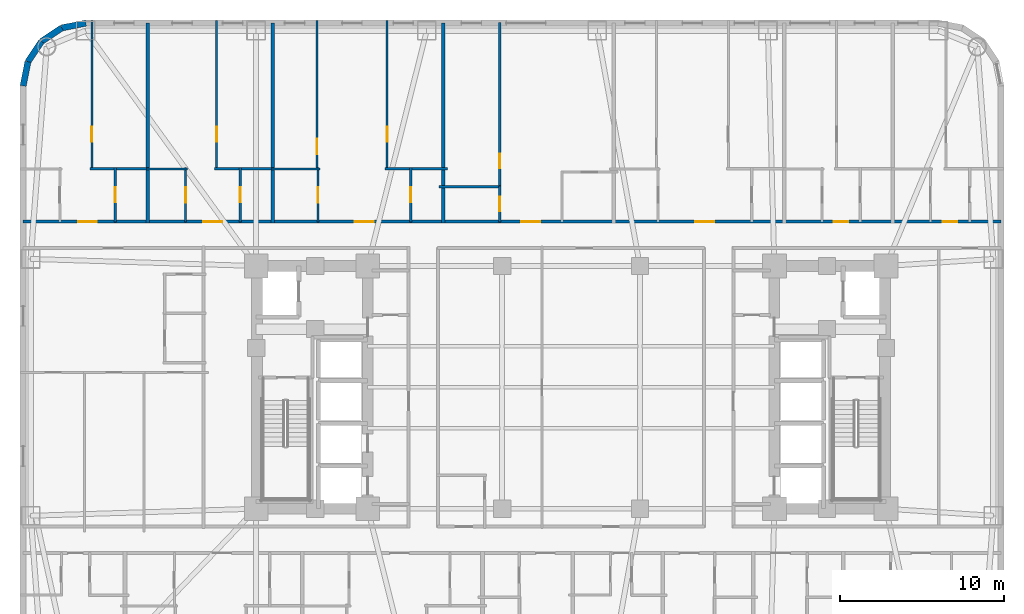
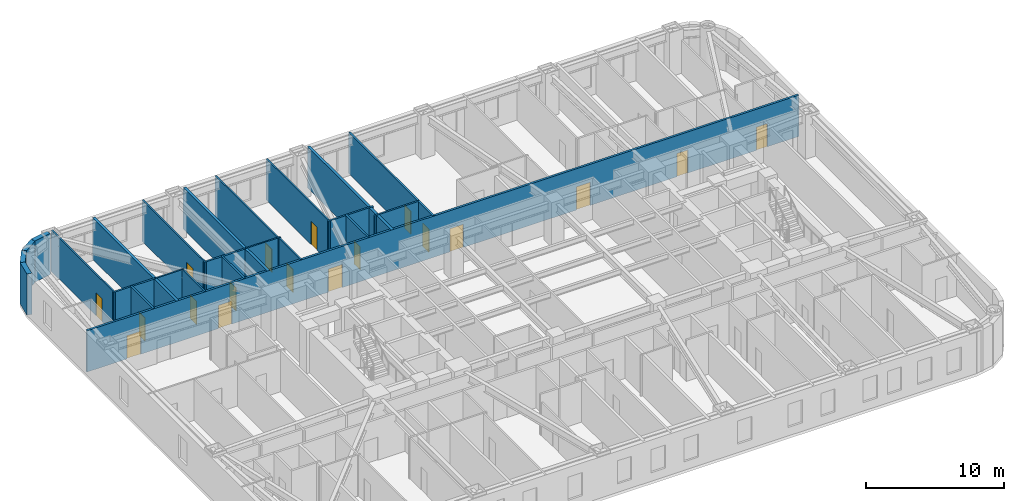
# One storey, part 7 of 11: 25 walls, 18 doors, 18 openings.
"""IFC4 building model written with IfcOpenShell, lengths in metres."""

from ifc_helpers import new_model, si_unit, direction, frame, frame_2d, origin, place, context, subcontext, project, spatial, rectangle, extrude, material, layer, layer_set, type_object, element, fill, save


model = new_model("IFC4")

# Units and contexts
model_context = context("Model", 3, precision=1e-05, world=origin(), true_north=direction((0.0, 1.0)))
body_context = subcontext(model_context, "Body", "Model", "MODEL_VIEW")
ifc_project = project(units=[si_unit("LENGTHUNIT", "METRE"), si_unit("AREAUNIT", "SQUARE_METRE"), si_unit("VOLUMEUNIT", "CUBIC_METRE"), si_unit("PLANEANGLEUNIT", "RADIAN"), si_unit("MASSUNIT", "GRAM", prefix="KILO")], contexts=[model_context])

# Site, building, storey
site_placement = place(None, origin())
site = spatial("IfcSite", under=ifc_project, at=site_placement, CompositionType="ELEMENT")
building_placement = place(site_placement, origin())
building = spatial("IfcBuilding", under=site, at=building_placement, Name="Voryun Gate Residences", CompositionType="ELEMENT")
storey_placement = place(building_placement, frame((0.0, 0.0, 45.5)))
storey = spatial("IfcBuildingStorey", under=building, at=storey_placement, Name="L10", CompositionType="ELEMENT", Elevation=45.5)

# Wall, openings, doors
ifc_material_1 = material(Name="Gypsum acoustic fireboard")
ifc_layer_1 = layer(ifc_material_1, 0.179931640625, Name="W_CORR_RATED_180")
ifc_layer_set_1 = layer_set([ifc_layer_1], Name="Gypsum acoustic fireboard")
wall_type_1 = type_object("IfcWallType", Name="W_CORR_RATED_180", PredefinedType="PARTITIONING", material=ifc_layer_set_1)
wall_1_placement = place(storey_placement, frame((-33.409912109375, 10.10009765625, 0.0), z_axis=(0.0, 0.0, 1.0), x_axis=(1.0, 0.0, 0.0)))
wall_1 = element("IfcWall", 1, at=wall_1_placement, inside=storey, type_object=wall_type_1, Name="Partition wall WP-L10-NCORR", PredefinedType="PARTITIONING", context=body_context, shape_type="SweptSolid", body=[
    extrude(rectangle(XDim=59.619873046875, YDim=0.179931640625, at=frame_2d((29.81005859375, 0.0))), origin(), (0.0, 0.0, 1.0), 3.64990234375),
])
opening_1_placement = place(wall_1_placement, frame((3.35400390625, 0.0, 0.0)))
opening_1 = element("IfcOpeningElement", 2, at=opening_1_placement, cuts=wall_1, Name="Opening D-UNIT-1", PredefinedType="OPENING", context=body_context, shape_type="SweptSolid", body=[
    extrude(rectangle(XDim=1.14990234375, YDim=2.050048828125, at=frame_2d((0.574951171875, 1.02490234375))), frame((0.0, 0.099853515625, 0.0), z_axis=(0.0, -1.0, 0.0), x_axis=(1.0, 0.0, 0.0)), (0.0, 0.0, 1.0), 0.199951171875),
])
opening_2_placement = place(wall_1_placement, frame((10.997314453125, 0.0, 0.0)))
opening_2 = element("IfcOpeningElement", 3, at=opening_2_placement, cuts=wall_1, Name="Opening D-UNIT-1", PredefinedType="OPENING", context=body_context, shape_type="SweptSolid", body=[
    extrude(rectangle(XDim=1.14990234375, YDim=2.050048828125, at=frame_2d((0.574951171875, 1.02490234375))), frame((0.0, 0.099853515625, 0.0), z_axis=(0.0, -1.0, 0.0), x_axis=(1.0, 0.0, 0.0)), (0.0, 0.0, 1.0), 0.199951171875),
])
opening_3_placement = place(wall_1_placement, frame((20.232421875, 0.0, 0.0)))
opening_3 = element("IfcOpeningElement", 4, at=opening_3_placement, cuts=wall_1, Name="Opening D-UNIT-1", PredefinedType="OPENING", context=body_context, shape_type="SweptSolid", body=[
    extrude(rectangle(XDim=1.14990234375, YDim=2.050048828125, at=frame_2d((0.574951171875, 1.02490234375))), frame((0.0, 0.099853515625, 0.0), z_axis=(0.0, -1.0, 0.0), x_axis=(1.0, 0.0, 0.0)), (0.0, 0.0, 1.0), 0.199951171875),
])
opening_4_placement = place(wall_1_placement, frame((30.379638671875, 0.0, 0.0)))
opening_4 = element("IfcOpeningElement", 5, at=opening_4_placement, cuts=wall_1, Name="Opening D-UNIT-1", PredefinedType="OPENING", context=body_context, shape_type="SweptSolid", body=[
    extrude(rectangle(XDim=1.14990234375, YDim=2.050048828125, at=frame_2d((0.574951171875, 1.02490234375))), frame((0.0, 0.099853515625, 0.0), z_axis=(0.0, -1.0, 0.0), x_axis=(1.0, 0.0, 0.0)), (0.0, 0.0, 1.0), 0.199951171875),
])
opening_5_placement = place(wall_1_placement, frame((40.998046875, 0.0, 0.0)))
opening_5 = element("IfcOpeningElement", 6, at=opening_5_placement, cuts=wall_1, Name="Opening D-UNIT-1", PredefinedType="OPENING", context=body_context, shape_type="SweptSolid", body=[
    extrude(rectangle(XDim=1.14990234375, YDim=2.050048828125, at=frame_2d((0.574951171875, 1.02490234375))), frame((0.0, 0.099853515625, 0.0), z_axis=(0.0, -1.0, 0.0), x_axis=(1.0, 0.0, 0.0)), (0.0, 0.0, 1.0), 0.199951171875),
])
opening_6_placement = place(wall_1_placement, frame((49.427978515625, 0.0, 0.0)))
opening_6 = element("IfcOpeningElement", 7, at=opening_6_placement, cuts=wall_1, Name="Opening D-INT-2", PredefinedType="OPENING", context=body_context, shape_type="SweptSolid", body=[
    extrude(rectangle(XDim=0.89990234375, YDim=2.050048828125, at=frame_2d((0.449951171875, 1.02490234375))), frame((0.0, 0.099853515625, 0.0), z_axis=(0.0, -1.0, 0.0), x_axis=(1.0, 0.0, 0.0)), (0.0, 0.0, 1.0), 0.199951171875),
])
opening_7_placement = place(wall_1_placement, frame((56.06982421875, 0.0, 0.0)))
opening_7 = element("IfcOpeningElement", 8, at=opening_7_placement, cuts=wall_1, Name="Opening D-INT-2", PredefinedType="OPENING", context=body_context, shape_type="SweptSolid", body=[
    extrude(rectangle(XDim=0.89990234375, YDim=2.050048828125, at=frame_2d((0.449951171875, 1.02490234375))), frame((0.0, 0.099853515625, 0.0), z_axis=(0.0, -1.0, 0.0), x_axis=(1.0, 0.0, 0.0)), (0.0, 0.0, 1.0), 0.199951171875),
])
ifc_material_2 = material(Name="Architectural oak veneer")
door_type_1 = type_object("IfcDoorType", Name="DR_INT_BATH_900", OperationType="NOTDEFINED", PredefinedType="DOOR", material=ifc_material_2)
door_1_placement = place(opening_6_placement, origin())
door_1 = element("IfcDoor", 9, at=door_1_placement, inside=storey, type_object=door_type_1, Name="Door DR-L10-NENT-6", OperationType="SINGLE_SWING_RIGHT", OverallHeight=2.050048828125, OverallWidth=0.89990234375, PredefinedType="DOOR", context=body_context, shape_type="SweptSolid", body=[
    extrude(rectangle(XDim=0.89990234375, YDim=2.050048828125, at=frame_2d((0.449951171875, 1.02490234375))), frame((0.0, 0.02490234375, 0.0), z_axis=(0.0, -1.0, 0.0), x_axis=(1.0, 0.0, 0.0)), (0.0, 0.0, 1.0), 0.050048828125),
])
fill(opening_6, door_1)
door_2_placement = place(opening_7_placement, origin())
door_2 = element("IfcDoor", 10, at=door_2_placement, inside=storey, type_object=door_type_1, Name="Door DR-L10-NENT-7", OperationType="SINGLE_SWING_LEFT", OverallHeight=2.050048828125, OverallWidth=0.89990234375, PredefinedType="DOOR", context=body_context, shape_type="SweptSolid", body=[
    extrude(rectangle(XDim=0.89990234375, YDim=2.050048828125, at=frame_2d((0.449951171875, 1.02490234375))), frame((0.0, 0.02490234375, 0.0), z_axis=(0.0, -1.0, 0.0), x_axis=(1.0, 0.0, 0.0)), (0.0, 0.0, 1.0), 0.050048828125),
])
fill(opening_7, door_2)
ifc_material_3 = material(Name="Armoured timber-clad fire door", Category="wood")
door_type_2 = type_object("IfcDoorType", Name="DR_UNIT_ENTRY_1150", OperationType="NOTDEFINED", PredefinedType="DOOR", material=ifc_material_3)
door_3_placement = place(opening_1_placement, origin())
door_3 = element("IfcDoor", 11, at=door_3_placement, inside=storey, type_object=door_type_2, Name="Door DR-L10-NENT-1", OperationType="SINGLE_SWING_LEFT", OverallHeight=2.050048828125, OverallWidth=1.14990234375, PredefinedType="DOOR", context=body_context, shape_type="SweptSolid", body=[
    extrude(rectangle(XDim=1.14990234375, YDim=2.050048828125, at=frame_2d((0.574951171875, 1.02490234375))), frame((0.0, 0.02490234375, 0.0), z_axis=(0.0, -1.0, 0.0), x_axis=(1.0, 0.0, 0.0)), (0.0, 0.0, 1.0), 0.050048828125),
])
fill(opening_1, door_3)
door_4_placement = place(opening_2_placement, origin())
door_4 = element("IfcDoor", 12, at=door_4_placement, inside=storey, type_object=door_type_2, Name="Door DR-L10-NENT-2", OperationType="SINGLE_SWING_RIGHT", OverallHeight=2.050048828125, OverallWidth=1.14990234375, PredefinedType="DOOR", context=body_context, shape_type="SweptSolid", body=[
    extrude(rectangle(XDim=1.14990234375, YDim=2.050048828125, at=frame_2d((0.574951171875, 1.02490234375))), frame((0.0, 0.02490234375, 0.0), z_axis=(0.0, -1.0, 0.0), x_axis=(1.0, 0.0, 0.0)), (0.0, 0.0, 1.0), 0.050048828125),
])
fill(opening_2, door_4)
door_5_placement = place(opening_3_placement, origin())
door_5 = element("IfcDoor", 13, at=door_5_placement, inside=storey, type_object=door_type_2, Name="Door DR-L10-NENT-3", OperationType="SINGLE_SWING_LEFT", OverallHeight=2.050048828125, OverallWidth=1.14990234375, PredefinedType="DOOR", context=body_context, shape_type="SweptSolid", body=[
    extrude(rectangle(XDim=1.14990234375, YDim=2.050048828125, at=frame_2d((0.574951171875, 1.02490234375))), frame((0.0, 0.02490234375, 0.0), z_axis=(0.0, -1.0, 0.0), x_axis=(1.0, 0.0, 0.0)), (0.0, 0.0, 1.0), 0.050048828125),
])
fill(opening_3, door_5)
door_6_placement = place(opening_4_placement, origin())
door_6 = element("IfcDoor", 14, at=door_6_placement, inside=storey, type_object=door_type_2, Name="Door DR-L10-NENT-4", OperationType="SINGLE_SWING_RIGHT", OverallHeight=2.050048828125, OverallWidth=1.14990234375, PredefinedType="DOOR", context=body_context, shape_type="SweptSolid", body=[
    extrude(rectangle(XDim=1.14990234375, YDim=2.050048828125, at=frame_2d((0.574951171875, 1.02490234375))), frame((0.0, 0.02490234375, 0.0), z_axis=(0.0, -1.0, 0.0), x_axis=(1.0, 0.0, 0.0)), (0.0, 0.0, 1.0), 0.050048828125),
])
fill(opening_4, door_6)
door_7_placement = place(opening_5_placement, origin())
door_7 = element("IfcDoor", 15, at=door_7_placement, inside=storey, type_object=door_type_2, Name="Door DR-L10-NENT-5", OperationType="SINGLE_SWING_LEFT", OverallHeight=2.050048828125, OverallWidth=1.14990234375, PredefinedType="DOOR", context=body_context, shape_type="SweptSolid", body=[
    extrude(rectangle(XDim=1.14990234375, YDim=2.050048828125, at=frame_2d((0.574951171875, 1.02490234375))), frame((0.0, 0.02490234375, 0.0), z_axis=(0.0, -1.0, 0.0), x_axis=(1.0, 0.0, 0.0)), (0.0, 0.0, 1.0), 0.050048828125),
])
fill(opening_5, door_7)

# Walls
ifc_material_4 = material(Name="Granite masonry", Category="masonry")
ifc_layer_2 = layer(ifc_material_4, 0.3798828125, Name="W_EXT_GRANITE_380")
ifc_layer_set_2 = layer_set([ifc_layer_2], Name="Granite masonry")
wall_type_2 = type_object("IfcWallType", Name="W_EXT_GRANITE_380", PredefinedType="ELEMENTEDWALL", material=ifc_layer_set_2)
wall_2_placement = place(storey_placement, frame((-33.409912109375, 18.38134765625, 0.0), z_axis=(0.0, 0.0, 1.0), x_axis=(0.195086038585, 0.980786132421, 0.0)))
element("IfcWall", 16, at=wall_2_placement, inside=storey, type_object=wall_type_2, Name="Exterior wall WEXT-L10-07", PredefinedType="ELEMENTEDWALL", context=body_context, shape_type="SweptSolid", body=[
    extrude(rectangle(XDim=1.504150390625, YDim=0.3798828125, at=frame_2d((0.751953125, 0.0))), origin(), (0.0, 0.0, 1.0), 3.64990234375),
])
wall_3_placement = place(storey_placement, frame((-33.116455078125, 19.856689453125, 0.0), z_axis=(0.0, 0.0, 1.0), x_axis=(0.555572577804, 0.831468045563, 0.0)))
element("IfcWall", 17, at=wall_3_placement, inside=storey, type_object=wall_type_2, Name="Exterior wall WEXT-L10-08", PredefinedType="ELEMENTEDWALL", context=body_context, shape_type="SweptSolid", body=[
    extrude(rectangle(XDim=1.48486328125, YDim=0.3798828125, at=frame_2d((0.742431640625, 0.0))), origin(), (0.0, 0.0, 1.0), 3.64990234375),
])
wall_4_placement = place(storey_placement, frame((-32.29150390625, 21.09130859375, 0.0), z_axis=(0.0, 0.0, 1.0), x_axis=(0.831442848281, 0.555610286119, 0.0)))
element("IfcWall", 18, at=wall_4_placement, inside=storey, type_object=wall_type_2, Name="Exterior wall WEXT-L10-09", PredefinedType="ELEMENTEDWALL", context=body_context, shape_type="SweptSolid", body=[
    extrude(rectangle(XDim=1.485107421875, YDim=0.3798828125, at=frame_2d((0.74267578125, 0.0))), origin(), (0.0, 0.0, 1.0), 3.64990234375),
])
wall_5_placement = place(storey_placement, frame((-31.056640625, 21.91650390625, 0.0), z_axis=(0.0, 0.0, 1.0), x_axis=(0.980786132421, 0.195086038585, 0.0)))
element("IfcWall", 19, at=wall_5_placement, inside=storey, type_object=wall_type_2, Name="Exterior wall WEXT-L10-10", PredefinedType="ELEMENTEDWALL", context=body_context, shape_type="SweptSolid", body=[
    extrude(rectangle(XDim=1.504150390625, YDim=0.3798828125, at=frame_2d((0.751953125, 0.0))), origin(), (0.0, 0.0, 1.0), 3.64990234375),
])
ifc_material_5 = material(Name="Concrete C40/50", Category="concrete")
ifc_layer_3 = layer(ifc_material_5, 0.219970703125, Name="W_PARTY_ACOUSTIC_220")
ifc_layer_set_3 = layer_set([ifc_layer_3], Name="Concrete C40/50")
wall_type_3 = type_object("IfcWallType", Name="W_PARTY_ACOUSTIC_220", PredefinedType="PARTITIONING", material=ifc_layer_set_3)
for number, where, z_axis, x_axis, name in (
    (20, (-25.80908203125, 10.02001953125, 0.0), (0.0, 0.0, 1.0), (0.0, 1.0, 0.0), "Partition wall WP-L10-NPTY-1"),
    (21, (-18.199951171875, 10.02001953125, 0.0), (0.0, 0.0, 1.0), (0.0, 1.0, 0.0), "Partition wall WP-L10-NPTY-2"),
    (22, (-7.800048828125, 10.02001953125, 0.0), (0.0, 0.0, 1.0), (0.0, 1.0, 0.0), "Partition wall WP-L10-NPTY-3"),
):
    element("IfcWall", number, at=place(storey_placement, frame(where, z_axis=z_axis, x_axis=x_axis)), inside=storey, type_object=wall_type_3, Name=name, PredefinedType="PARTITIONING", context=body_context, shape_type="SweptSolid", body=[
        extrude(rectangle(XDim=12.18994140625, YDim=0.219970703125, at=frame_2d((6.094970703125, 0.0))), origin(), (0.0, 0.0, 1.0), 3.64990234375),
    ])

# Wall, opening, door
ifc_material_6 = material(Name="Gypsum acoustic partition")
ifc_layer_4 = layer(ifc_material_6, 0.125, Name="W_UNIT_PART_125")
ifc_layer_set_4 = layer_set([ifc_layer_4], Name="Gypsum acoustic partition")
wall_type_4 = type_object("IfcWallType", Name="W_UNIT_PART_125", PredefinedType="PARTITIONING", material=ifc_layer_set_4)
wall_6_placement = place(storey_placement, frame((-29.218994140625, 13.239990234375, 0.0), z_axis=(0.0, 0.0, 1.0), x_axis=(0.0, 1.0, 0.0)))
wall_6 = element("IfcWall", 23, at=wall_6_placement, inside=storey, type_object=wall_type_4, Name="Partition wall WP-L10-N1-OVR", PredefinedType="PARTITIONING", context=body_context, shape_type="SweptSolid", body=[
    extrude(rectangle(XDim=9.1201171875, YDim=0.125, at=frame_2d((4.56005859375, 0.0))), origin(), (0.0, 0.0, 1.0), 3.64990234375),
])
opening_8_placement = place(wall_6_placement, frame((1.73876953125, 0.0, 0.0)))
opening_8 = element("IfcOpeningElement", 24, at=opening_8_placement, cuts=wall_6, Name="Opening D-INT-2", PredefinedType="OPENING", context=body_context, shape_type="SweptSolid", body=[
    extrude(rectangle(XDim=0.89990234375, YDim=2.050048828125, at=frame_2d((0.449951171875, 1.02490234375))), frame((0.0, 0.072509765625, 0.0), z_axis=(0.0, -1.0, 0.0), x_axis=(1.0, 0.0, 0.0)), (0.0, 0.0, 1.0), 0.14501953125),
])
door_8_placement = place(opening_8_placement, origin())
door_8 = element("IfcDoor", 25, at=door_8_placement, inside=storey, type_object=door_type_1, Name="Door DR-L10-N1-DMB", OperationType="SINGLE_SWING_RIGHT", OverallHeight=2.050048828125, OverallWidth=0.89990234375, PredefinedType="DOOR", context=body_context, shape_type="SweptSolid", body=[
    extrude(rectangle(XDim=0.89990234375, YDim=2.050048828125, at=frame_2d((0.449951171875, 1.02490234375))), frame((0.0, 0.02490234375, 0.0), z_axis=(0.0, -1.0, 0.0), x_axis=(1.0, 0.0, 0.0)), (0.0, 0.0, 1.0), 0.050048828125),
])
fill(opening_8, door_8)

wall_7_placement = place(storey_placement, frame((-21.610107421875, 13.239990234375, 0.0), z_axis=(0.0, 0.0, 1.0), x_axis=(0.0, 1.0, 0.0)))
wall_7 = element("IfcWall", 26, at=wall_7_placement, inside=storey, type_object=wall_type_4, Name="Partition wall WP-L10-N2-OVR", PredefinedType="PARTITIONING", context=body_context, shape_type="SweptSolid", body=[
    extrude(rectangle(XDim=9.1201171875, YDim=0.125, at=frame_2d((4.56005859375, 0.0))), origin(), (0.0, 0.0, 1.0), 3.64990234375),
])
opening_9_placement = place(wall_7_placement, frame((1.73876953125, 0.0, 0.0)))
opening_9 = element("IfcOpeningElement", 27, at=opening_9_placement, cuts=wall_7, Name="Opening D-INT-2", PredefinedType="OPENING", context=body_context, shape_type="SweptSolid", body=[
    extrude(rectangle(XDim=0.89990234375, YDim=2.050048828125, at=frame_2d((0.449951171875, 1.02490234375))), frame((0.0, 0.072509765625, 0.0), z_axis=(0.0, -1.0, 0.0), x_axis=(1.0, 0.0, 0.0)), (0.0, 0.0, 1.0), 0.14501953125),
])
door_9_placement = place(opening_9_placement, origin())
door_9 = element("IfcDoor", 28, at=door_9_placement, inside=storey, type_object=door_type_1, Name="Door DR-L10-N2-DMB", OperationType="SINGLE_SWING_RIGHT", OverallHeight=2.050048828125, OverallWidth=0.89990234375, PredefinedType="DOOR", context=body_context, shape_type="SweptSolid", body=[
    extrude(rectangle(XDim=0.89990234375, YDim=2.050048828125, at=frame_2d((0.449951171875, 1.02490234375))), frame((0.0, 0.02490234375, 0.0), z_axis=(0.0, -1.0, 0.0), x_axis=(1.0, 0.0, 0.0)), (0.0, 0.0, 1.0), 0.050048828125),
])
fill(opening_9, door_9)

wall_8_placement = place(storey_placement, frame((-23.4990234375, 10.080078125, 0.0), z_axis=(0.0, 0.0, 1.0), x_axis=(0.0, 1.0, 0.0)))
wall_8 = element("IfcWall", 29, at=wall_8_placement, inside=storey, type_object=wall_type_4, Name="Partition wall WP-L10-N2-IVK", PredefinedType="PARTITIONING", context=body_context, shape_type="SweptSolid", body=[
    extrude(rectangle(XDim=3.31982421875, YDim=0.125, at=frame_2d((1.659912109375, 0.0))), origin(), (0.0, 0.0, 1.0), 3.64990234375),
])
opening_10_placement = place(wall_8_placement, frame((1.18505859375, 0.0, 0.0)))
opening_10 = element("IfcOpeningElement", 30, at=opening_10_placement, cuts=wall_8, Name="Opening D-INT-1", PredefinedType="OPENING", context=body_context, shape_type="SweptSolid", body=[
    extrude(rectangle(XDim=0.949951171875, YDim=2.050048828125, at=frame_2d((0.47509765625, 1.02490234375))), frame((0.0, 0.072509765625, 0.0), z_axis=(0.0, -1.0, 0.0), x_axis=(1.0, 0.0, 0.0)), (0.0, 0.0, 1.0), 0.14501953125),
])
ifc_material_7 = material(Name="Architectural oak veneer")
door_type_3 = type_object("IfcDoorType", Name="DR_INT_ROOM_950", OperationType="NOTDEFINED", PredefinedType="DOOR", material=ifc_material_7)
door_10_placement = place(opening_10_placement, origin())
door_10 = element("IfcDoor", 31, at=door_10_placement, inside=storey, type_object=door_type_3, Name="Door DR-L10-N2-DK", OperationType="SINGLE_SWING_LEFT", OverallHeight=2.050048828125, OverallWidth=0.949951171875, PredefinedType="DOOR", context=body_context, shape_type="SweptSolid", body=[
    extrude(rectangle(XDim=0.949951171875, YDim=2.050048828125, at=frame_2d((0.47509765625, 1.02490234375))), frame((0.0, 0.02490234375, 0.0), z_axis=(0.0, -1.0, 0.0), x_axis=(1.0, 0.0, 0.0)), (0.0, 0.0, 1.0), 0.050048828125),
])
fill(opening_10, door_10)

# Wall
wall_9_placement = place(storey_placement, frame((-25.884033203125, 13.320068359375, 0.0), z_axis=(0.0, 0.0, 1.0), x_axis=(1.0, 0.0, 0.0)))
element("IfcWall", 32, at=wall_9_placement, inside=storey, type_object=wall_type_4, Name="Partition wall WP-L10-N2-HZK", PredefinedType="PARTITIONING", context=body_context, shape_type="SweptSolid", body=[
    extrude(rectangle(XDim=2.505126953125, YDim=0.125, at=frame_2d((1.25244140625, 0.0))), origin(), (0.0, 0.0, 1.0), 3.64990234375),
])

# Wall, opening, door
wall_10_placement = place(storey_placement, frame((-15.488037109375, 13.239990234375, 0.0), z_axis=(0.0, 0.0, 1.0), x_axis=(0.0, 1.0, 0.0)))
wall_10 = element("IfcWall", 33, at=wall_10_placement, inside=storey, type_object=wall_type_4, Name="Partition wall WP-L10-N3-OVL", PredefinedType="PARTITIONING", context=body_context, shape_type="SweptSolid", body=[
    extrude(rectangle(XDim=9.1201171875, YDim=0.125, at=frame_2d((4.56005859375, 0.0))), origin(), (0.0, 0.0, 1.0), 3.64990234375),
])
opening_11_placement = place(wall_10_placement, frame((0.984130859375, 0.0, 0.0)))
opening_11 = element("IfcOpeningElement", 34, at=opening_11_placement, cuts=wall_10, Name="Opening D-INT-1", PredefinedType="OPENING", context=body_context, shape_type="SweptSolid", body=[
    extrude(rectangle(XDim=0.949951171875, YDim=2.050048828125, at=frame_2d((0.47509765625, 1.02490234375))), frame((0.0, 0.072509765625, 0.0), z_axis=(0.0, -1.0, 0.0), x_axis=(1.0, 0.0, 0.0)), (0.0, 0.0, 1.0), 0.14501953125),
])
door_11_placement = place(opening_11_placement, origin())
door_11 = element("IfcDoor", 35, at=door_11_placement, inside=storey, type_object=door_type_3, Name="Door DR-L10-N3-DB2", OperationType="SINGLE_SWING_LEFT", OverallHeight=2.050048828125, OverallWidth=0.949951171875, PredefinedType="DOOR", context=body_context, shape_type="SweptSolid", body=[
    extrude(rectangle(XDim=0.949951171875, YDim=2.050048828125, at=frame_2d((0.47509765625, 1.02490234375))), frame((0.0, 0.02490234375, 0.0), z_axis=(0.0, -1.0, 0.0), x_axis=(1.0, 0.0, 0.0)), (0.0, 0.0, 1.0), 0.050048828125),
])
fill(opening_11, door_11)

wall_11_placement = place(storey_placement, frame((-11.2099609375, 13.239990234375, 0.0), z_axis=(0.0, 0.0, 1.0), x_axis=(0.0, 1.0, 0.0)))
wall_11 = element("IfcWall", 36, at=wall_11_placement, inside=storey, type_object=wall_type_4, Name="Partition wall WP-L10-N3-OVR", PredefinedType="PARTITIONING", context=body_context, shape_type="SweptSolid", body=[
    extrude(rectangle(XDim=9.1201171875, YDim=0.125, at=frame_2d((4.56005859375, 0.0))), origin(), (0.0, 0.0, 1.0), 3.64990234375),
])
opening_12_placement = place(wall_11_placement, frame((1.73876953125, 0.0, 0.0)))
opening_12 = element("IfcOpeningElement", 37, at=opening_12_placement, cuts=wall_11, Name="Opening D-INT-2", PredefinedType="OPENING", context=body_context, shape_type="SweptSolid", body=[
    extrude(rectangle(XDim=0.89990234375, YDim=2.050048828125, at=frame_2d((0.449951171875, 1.02490234375))), frame((0.0, 0.072509765625, 0.0), z_axis=(0.0, -1.0, 0.0), x_axis=(1.0, 0.0, 0.0)), (0.0, 0.0, 1.0), 0.14501953125),
])
door_12_placement = place(opening_12_placement, origin())
door_12 = element("IfcDoor", 38, at=door_12_placement, inside=storey, type_object=door_type_1, Name="Door DR-L10-N3-DMB", OperationType="SINGLE_SWING_RIGHT", OverallHeight=2.050048828125, OverallWidth=0.89990234375, PredefinedType="DOOR", context=body_context, shape_type="SweptSolid", body=[
    extrude(rectangle(XDim=0.89990234375, YDim=2.050048828125, at=frame_2d((0.449951171875, 1.02490234375))), frame((0.0, 0.02490234375, 0.0), z_axis=(0.0, -1.0, 0.0), x_axis=(1.0, 0.0, 0.0)), (0.0, 0.0, 1.0), 0.050048828125),
])
fill(opening_12, door_12)

wall_12_placement = place(storey_placement, frame((-15.426025390625, 10.080078125, 0.0), z_axis=(0.0, 0.0, 1.0), x_axis=(0.0, 1.0, 0.0)))
wall_12 = element("IfcWall", 39, at=wall_12_placement, inside=storey, type_object=wall_type_4, Name="Partition wall WP-L10-N3-IVK", PredefinedType="PARTITIONING", context=body_context, shape_type="SweptSolid", body=[
    extrude(rectangle(XDim=3.31982421875, YDim=0.125, at=frame_2d((1.659912109375, 0.0))), origin(), (0.0, 0.0, 1.0), 3.64990234375),
])
opening_13_placement = place(wall_12_placement, frame((1.18505859375, 0.0, 0.0)))
opening_13 = element("IfcOpeningElement", 40, at=opening_13_placement, cuts=wall_12, Name="Opening D-INT-1", PredefinedType="OPENING", context=body_context, shape_type="SweptSolid", body=[
    extrude(rectangle(XDim=0.949951171875, YDim=2.050048828125, at=frame_2d((0.47509765625, 1.02490234375))), frame((0.0, 0.072509765625, 0.0), z_axis=(0.0, -1.0, 0.0), x_axis=(1.0, 0.0, 0.0)), (0.0, 0.0, 1.0), 0.14501953125),
])
door_13_placement = place(opening_13_placement, origin())
door_13 = element("IfcDoor", 41, at=door_13_placement, inside=storey, type_object=door_type_3, Name="Door DR-L10-N3-DK", OperationType="SINGLE_SWING_LEFT", OverallHeight=2.050048828125, OverallWidth=0.949951171875, PredefinedType="DOOR", context=body_context, shape_type="SweptSolid", body=[
    extrude(rectangle(XDim=0.949951171875, YDim=2.050048828125, at=frame_2d((0.47509765625, 1.02490234375))), frame((0.0, 0.02490234375, 0.0), z_axis=(0.0, -1.0, 0.0), x_axis=(1.0, 0.0, 0.0)), (0.0, 0.0, 1.0), 0.050048828125),
])
fill(opening_13, door_13)

# Walls
wall_13_placement = place(storey_placement, frame((-18.27490234375, 13.320068359375, 0.0), z_axis=(0.0, 0.0, 1.0), x_axis=(1.0, 0.0, 0.0)))
element("IfcWall", 42, at=wall_13_placement, inside=storey, type_object=wall_type_4, Name="Partition wall WP-L10-N3-HZK", PredefinedType="PARTITIONING", context=body_context, shape_type="SweptSolid", body=[
    extrude(rectangle(XDim=2.968994140625, YDim=0.125, at=frame_2d((1.484375, 0.0))), origin(), (0.0, 0.0, 1.0), 3.64990234375),
])
ifc_material_8 = material(Name="Gypsum moisture-resistant partition")
ifc_layer_5 = layer(ifc_material_8, 0.14990234375, Name="W_WET_PLUMB_150")
ifc_layer_set_5 = layer_set([ifc_layer_5], Name="Gypsum moisture-resistant partition")
wall_type_5 = type_object("IfcWallType", Name="W_WET_PLUMB_150", PredefinedType="PLUMBINGWALL", material=ifc_layer_set_5)
wall_14_placement = place(storey_placement, frame((-29.339111328125, 13.320068359375, 0.0), z_axis=(0.0, 0.0, 1.0), x_axis=(1.0, 0.0, 0.0)))
element("IfcWall", 43, at=wall_14_placement, inside=storey, type_object=wall_type_5, Name="Partition wall WP-L10-N1-HZB", PredefinedType="PLUMBINGWALL", context=body_context, shape_type="SweptSolid", body=[
    extrude(rectangle(XDim=3.605224609375, YDim=0.14990234375, at=frame_2d((1.802734375, 0.0))), origin(), (0.0, 0.0, 1.0), 3.64990234375),
])

# Wall, opening, door
wall_15_placement = place(storey_placement, frame((-27.7890625, 10.080078125, 0.0), z_axis=(0.0, 0.0, 1.0), x_axis=(0.0, 1.0, 0.0)))
wall_15 = element("IfcWall", 44, at=wall_15_placement, inside=storey, type_object=wall_type_5, Name="Partition wall WP-L10-N1-IVB", PredefinedType="PLUMBINGWALL", context=body_context, shape_type="SweptSolid", body=[
    extrude(rectangle(XDim=3.31982421875, YDim=0.14990234375, at=frame_2d((1.659912109375, 0.0))), origin(), (0.0, 0.0, 1.0), 3.64990234375),
])
opening_14_placement = place(wall_15_placement, frame((1.2099609375, 0.0, 0.0)))
opening_14 = element("IfcOpeningElement", 45, at=opening_14_placement, cuts=wall_15, Name="Opening D-INT-2", PredefinedType="OPENING", context=body_context, shape_type="SweptSolid", body=[
    extrude(rectangle(XDim=0.89990234375, YDim=2.050048828125, at=frame_2d((0.449951171875, 1.02490234375))), frame((0.0, 0.0849609375, 0.0), z_axis=(0.0, -1.0, 0.0), x_axis=(1.0, 0.0, 0.0)), (0.0, 0.0, 1.0), 0.169921875),
])
door_14_placement = place(opening_14_placement, origin())
door_14 = element("IfcDoor", 46, at=door_14_placement, inside=storey, type_object=door_type_1, Name="Door DR-L10-N1-DB", OperationType="SINGLE_SWING_RIGHT", OverallHeight=2.050048828125, OverallWidth=0.89990234375, PredefinedType="DOOR", context=body_context, shape_type="SweptSolid", body=[
    extrude(rectangle(XDim=0.89990234375, YDim=2.050048828125, at=frame_2d((0.449951171875, 1.02490234375))), frame((0.0, 0.02490234375, 0.0), z_axis=(0.0, -1.0, 0.0), x_axis=(1.0, 0.0, 0.0)), (0.0, 0.0, 1.0), 0.050048828125),
])
fill(opening_14, door_14)

# Wall
wall_16_placement = place(storey_placement, frame((-21.72998046875, 13.320068359375, 0.0), z_axis=(0.0, 0.0, 1.0), x_axis=(1.0, 0.0, 0.0)))
element("IfcWall", 47, at=wall_16_placement, inside=storey, type_object=wall_type_5, Name="Partition wall WP-L10-N2-HZB", PredefinedType="PLUMBINGWALL", context=body_context, shape_type="SweptSolid", body=[
    extrude(rectangle(XDim=3.60498046875, YDim=0.14990234375, at=frame_2d((1.802490234375, 0.0))), origin(), (0.0, 0.0, 1.0), 3.64990234375),
])

# Wall, opening, door
wall_17_placement = place(storey_placement, frame((-20.179931640625, 10.080078125, 0.0), z_axis=(0.0, 0.0, 1.0), x_axis=(0.0, 1.0, 0.0)))
wall_17 = element("IfcWall", 48, at=wall_17_placement, inside=storey, type_object=wall_type_5, Name="Partition wall WP-L10-N2-IVB", PredefinedType="PLUMBINGWALL", context=body_context, shape_type="SweptSolid", body=[
    extrude(rectangle(XDim=3.31982421875, YDim=0.14990234375, at=frame_2d((1.659912109375, 0.0))), origin(), (0.0, 0.0, 1.0), 3.64990234375),
])
opening_15_placement = place(wall_17_placement, frame((1.2099609375, 0.0, 0.0)))
opening_15 = element("IfcOpeningElement", 49, at=opening_15_placement, cuts=wall_17, Name="Opening D-INT-2", PredefinedType="OPENING", context=body_context, shape_type="SweptSolid", body=[
    extrude(rectangle(XDim=0.89990234375, YDim=2.050048828125, at=frame_2d((0.449951171875, 1.02490234375))), frame((0.0, 0.0849609375, 0.0), z_axis=(0.0, -1.0, 0.0), x_axis=(1.0, 0.0, 0.0)), (0.0, 0.0, 1.0), 0.169921875),
])
door_15_placement = place(opening_15_placement, origin())
door_15 = element("IfcDoor", 50, at=door_15_placement, inside=storey, type_object=door_type_1, Name="Door DR-L10-N2-DB", OperationType="SINGLE_SWING_RIGHT", OverallHeight=2.050048828125, OverallWidth=0.89990234375, PredefinedType="DOOR", context=body_context, shape_type="SweptSolid", body=[
    extrude(rectangle(XDim=0.89990234375, YDim=2.050048828125, at=frame_2d((0.449951171875, 1.02490234375))), frame((0.0, 0.02490234375, 0.0), z_axis=(0.0, -1.0, 0.0), x_axis=(1.0, 0.0, 0.0)), (0.0, 0.0, 1.0), 0.050048828125),
])
fill(opening_15, door_15)

# Wall
wall_18_placement = place(storey_placement, frame((-11.330078125, 13.320068359375, 0.0), z_axis=(0.0, 0.0, 1.0), x_axis=(1.0, 0.0, 0.0)))
element("IfcWall", 51, at=wall_18_placement, inside=storey, type_object=wall_type_5, Name="Partition wall WP-L10-N3-HZB", PredefinedType="PLUMBINGWALL", context=body_context, shape_type="SweptSolid", body=[
    extrude(rectangle(XDim=3.7900390625, YDim=0.14990234375, at=frame_2d((1.89501953125, 0.0))), origin(), (0.0, 0.0, 1.0), 3.64990234375),
])

# Wall, opening, door
wall_19_placement = place(storey_placement, frame((-9.780029296875, 10.080078125, 0.0), z_axis=(0.0, 0.0, 1.0), x_axis=(0.0, 1.0, 0.0)))
wall_19 = element("IfcWall", 52, at=wall_19_placement, inside=storey, type_object=wall_type_5, Name="Partition wall WP-L10-N3-IVB", PredefinedType="PLUMBINGWALL", context=body_context, shape_type="SweptSolid", body=[
    extrude(rectangle(XDim=3.31982421875, YDim=0.14990234375, at=frame_2d((1.659912109375, 0.0))), origin(), (0.0, 0.0, 1.0), 3.64990234375),
])
opening_16_placement = place(wall_19_placement, frame((1.2099609375, 0.0, 0.0)))
opening_16 = element("IfcOpeningElement", 53, at=opening_16_placement, cuts=wall_19, Name="Opening D-INT-2", PredefinedType="OPENING", context=body_context, shape_type="SweptSolid", body=[
    extrude(rectangle(XDim=0.89990234375, YDim=2.050048828125, at=frame_2d((0.449951171875, 1.02490234375))), frame((0.0, 0.0849609375, 0.0), z_axis=(0.0, -1.0, 0.0), x_axis=(1.0, 0.0, 0.0)), (0.0, 0.0, 1.0), 0.169921875),
])
door_16_placement = place(opening_16_placement, origin())
door_16 = element("IfcDoor", 54, at=door_16_placement, inside=storey, type_object=door_type_1, Name="Door DR-L10-N3-DB", OperationType="SINGLE_SWING_RIGHT", OverallHeight=2.050048828125, OverallWidth=0.89990234375, PredefinedType="DOOR", context=body_context, shape_type="SweptSolid", body=[
    extrude(rectangle(XDim=0.89990234375, YDim=2.050048828125, at=frame_2d((0.449951171875, 1.02490234375))), frame((0.0, 0.02490234375, 0.0), z_axis=(0.0, -1.0, 0.0), x_axis=(1.0, 0.0, 0.0)), (0.0, 0.0, 1.0), 0.050048828125),
])
fill(opening_16, door_16)

# Wall
wall_20_placement = place(storey_placement, frame((-8.06005859375, 12.239990234375, 0.0), z_axis=(0.0, 0.0, 1.0), x_axis=(1.0, 0.0, 0.0)))
element("IfcWall", 55, at=wall_20_placement, inside=storey, type_object=wall_type_5, Name="Partition wall WP-L10-N4-LHY", PredefinedType="PLUMBINGWALL", context=body_context, shape_type="SweptSolid", body=[
    extrude(rectangle(XDim=3.7919921875, YDim=0.14990234375, at=frame_2d((1.89599609375, 0.0))), origin(), (0.0, 0.0, 1.0), 3.64990234375),
])

# Wall, opening, door
wall_21_placement = place(storey_placement, frame((-4.347900390625, 10.080078125, 0.0), z_axis=(0.0, 0.0, 1.0), x_axis=(0.0, 1.0, 0.0)))
wall_21 = element("IfcWall", 56, at=wall_21_placement, inside=storey, type_object=wall_type_5, Name="Partition wall WP-L10-N4-LVX1", PredefinedType="PLUMBINGWALL", context=body_context, shape_type="SweptSolid", body=[
    extrude(rectangle(XDim=2.199951171875, YDim=0.14990234375, at=frame_2d((1.10009765625, 0.0))), origin(), (0.0, 0.0, 1.0), 3.64990234375),
])
opening_17_placement = place(wall_21_placement, frame((0.64990234375, 0.0, 0.0)))
opening_17 = element("IfcOpeningElement", 57, at=opening_17_placement, cuts=wall_21, Name="Opening D-INT-2", PredefinedType="OPENING", context=body_context, shape_type="SweptSolid", body=[
    extrude(rectangle(XDim=0.89990234375, YDim=2.050048828125, at=frame_2d((0.449951171875, 1.02490234375))), frame((0.0, 0.0849609375, 0.0), z_axis=(0.0, -1.0, 0.0), x_axis=(1.0, 0.0, 0.0)), (0.0, 0.0, 1.0), 0.169921875),
])
door_17_placement = place(opening_17_placement, origin())
door_17 = element("IfcDoor", 58, at=door_17_placement, inside=storey, type_object=door_type_1, Name="Door DR-L10-N4-DB", OperationType="SINGLE_SWING_LEFT", OverallHeight=2.050048828125, OverallWidth=0.89990234375, PredefinedType="DOOR", context=body_context, shape_type="SweptSolid", body=[
    extrude(rectangle(XDim=0.89990234375, YDim=2.050048828125, at=frame_2d((0.449951171875, 1.02490234375))), frame((0.0, 0.02490234375, 0.0), z_axis=(0.0, -1.0, 0.0), x_axis=(1.0, 0.0, 0.0)), (0.0, 0.0, 1.0), 0.050048828125),
])
fill(opening_17, door_17)

wall_22_placement = place(storey_placement, frame((-4.347900390625, 12.199951171875, 0.0), z_axis=(0.0, 0.0, 1.0), x_axis=(0.0, 1.0, 0.0)))
wall_22 = element("IfcWall", 59, at=wall_22_placement, inside=storey, type_object=wall_type_5, Name="Partition wall WP-L10-N4-LVX2", PredefinedType="PLUMBINGWALL", context=body_context, shape_type="SweptSolid", body=[
    extrude(rectangle(XDim=10.0576171875, YDim=0.14990234375, at=frame_2d((5.02880859375, 0.0))), origin(), (0.0, 0.0, 1.0), 3.64990234375),
])
opening_18_placement = place(wall_22_placement, frame((1.1591796875, 0.0, 0.0)))
opening_18 = element("IfcOpeningElement", 60, at=opening_18_placement, cuts=wall_22, Name="Opening D-INT-2", PredefinedType="OPENING", context=body_context, shape_type="SweptSolid", body=[
    extrude(rectangle(XDim=0.89990234375, YDim=2.050048828125, at=frame_2d((0.449951171875, 1.02490234375))), frame((0.0, 0.0849609375, 0.0), z_axis=(0.0, -1.0, 0.0), x_axis=(1.0, 0.0, 0.0)), (0.0, 0.0, 1.0), 0.169921875),
])
door_18_placement = place(opening_18_placement, origin())
door_18 = element("IfcDoor", 61, at=door_18_placement, inside=storey, type_object=door_type_1, Name="Door DR-L10-N4-DMB", OperationType="SINGLE_SWING_RIGHT", OverallHeight=2.050048828125, OverallWidth=0.89990234375, PredefinedType="DOOR", context=body_context, shape_type="SweptSolid", body=[
    extrude(rectangle(XDim=0.89990234375, YDim=2.050048828125, at=frame_2d((0.449951171875, 1.02490234375))), frame((0.0, 0.02490234375, 0.0), z_axis=(0.0, -1.0, 0.0), x_axis=(1.0, 0.0, 0.0)), (0.0, 0.0, 1.0), 0.050048828125),
])
fill(opening_18, door_18)

save(model, "model.ifc")
